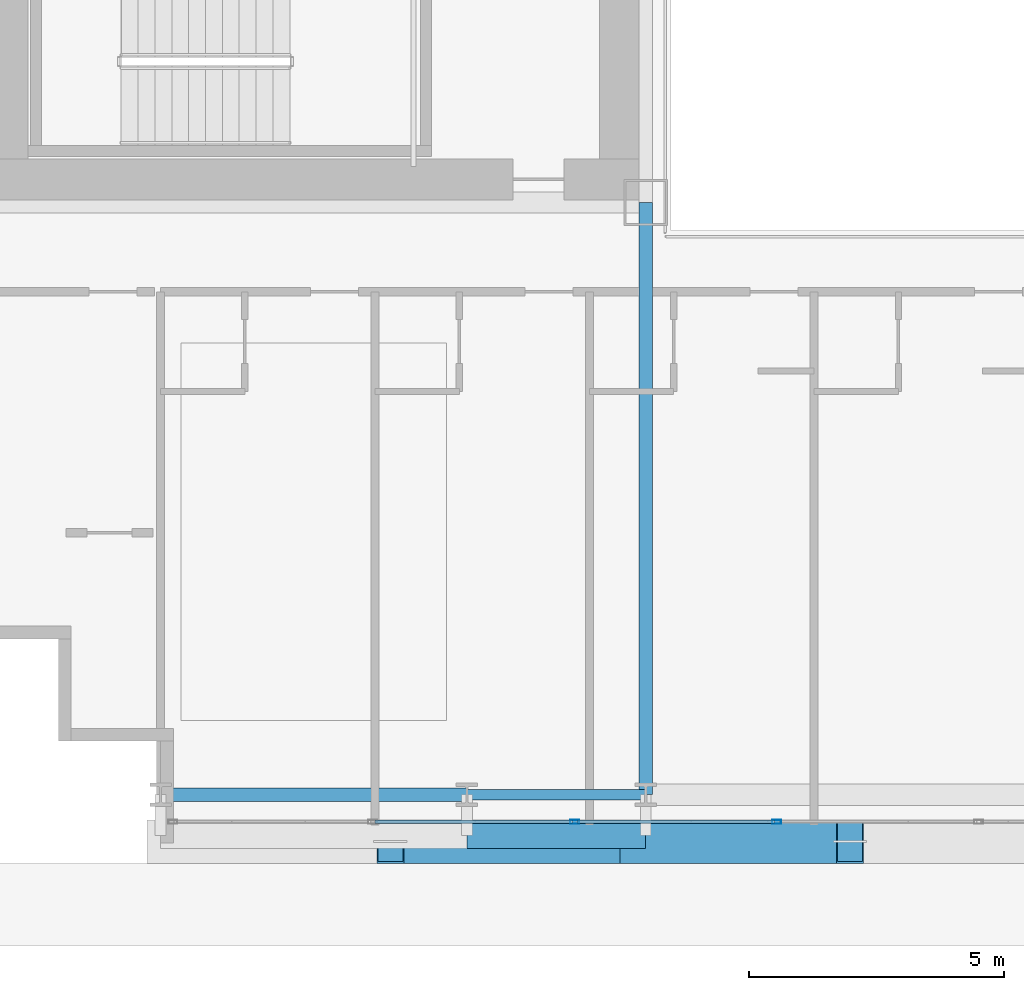
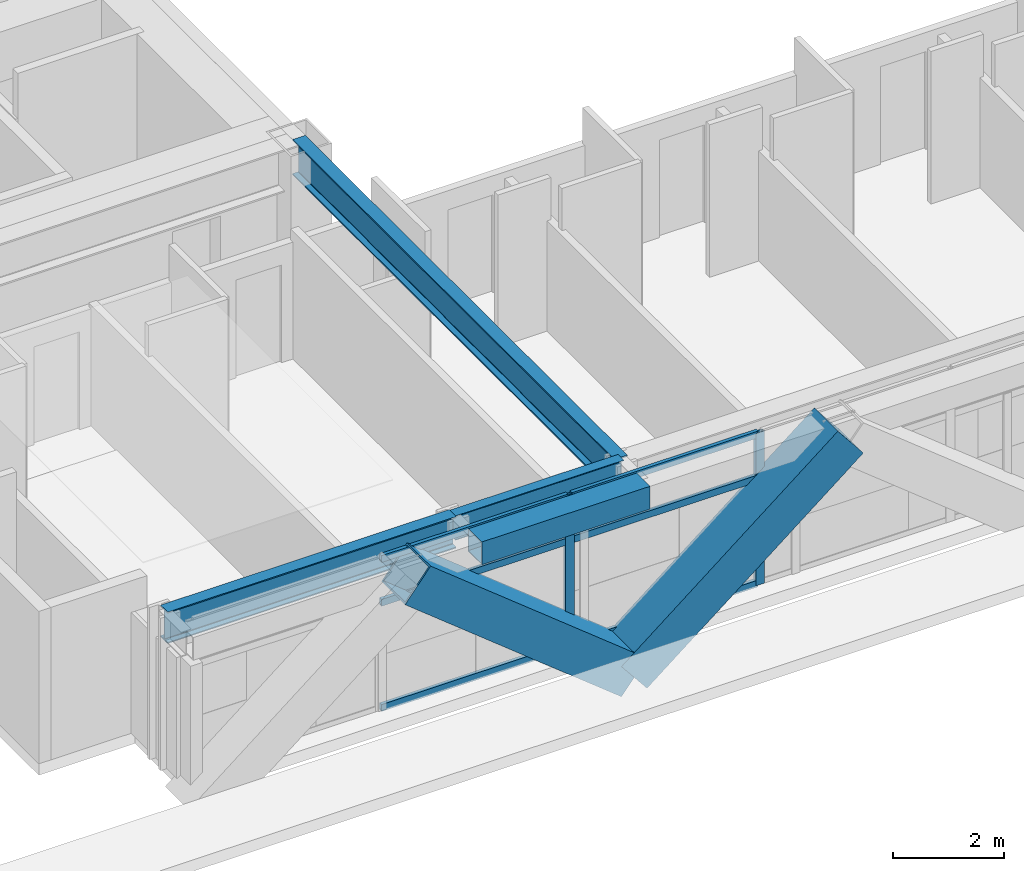
# One storey, part 3 of 35: 10 members, 4 beams, 1 element without a shape of its own.
"""IFC4 building model written with IfcOpenShell, lengths in metres."""

from ifc_helpers import new_model, si_unit, direction, frame, origin, origin_2d, place, context, subcontext, project, spatial, hollow_rectangle, i_section, extrude, source, transform, mapped, material, layer, layer_set, material_profile, profile_set, type_object, element, aggregate, save


model = new_model("IFC4")

# Units and contexts
model_context = context("Model", 3, precision=1e-05, world=origin(), true_north=direction((0.0, 1.0)))
body_context = subcontext(model_context, "Body", "Model", "MODEL_VIEW")
ifc_project = project(units=[si_unit("LENGTHUNIT", "METRE"), si_unit("AREAUNIT", "SQUARE_METRE"), si_unit("VOLUMEUNIT", "CUBIC_METRE"), si_unit("PLANEANGLEUNIT", "RADIAN"), si_unit("MASSUNIT", "GRAM", prefix="KILO")], contexts=[model_context])

# Site, building, storey
site_placement = place(None, origin())
site = spatial("IfcSite", under=ifc_project, at=site_placement, CompositionType="ELEMENT")
building_placement = place(site_placement, origin())
building = spatial("IfcBuilding", under=site, at=building_placement, Name="Ocotamira Hotel", CompositionType="ELEMENT")
storey_placement = place(building_placement, frame((0.0, 0.0, 34.800048828125)))
storey = spatial("IfcBuildingStorey", under=building, at=storey_placement, Name="L07", CompositionType="ELEMENT", Elevation=34.800048828125)

# Beams
ifc_material_1 = material(Name="Steel ASTM A992 Grade 50", Category="steel")
ifc_material_profile_1 = material_profile(ifc_material_1, i_section(OverallWidth=0.256103515625, OverallDepth=0.693115234375, WebThickness=0.014404296875, FlangeThickness=0.023681640625, FilletRadius=0.01611328125, at=origin_2d()), Name="W27X114")
ifc_profile_set_1 = profile_set([ifc_material_profile_1], Name="Steel ASTM A992 Grade 50")
beam_type_1 = type_object("IfcBeamType", Name="BM-PRIM-W27X114", PredefinedType="BEAM", material=ifc_profile_set_1)
shared_shape_1 = source(origin(), body_context, "Body", "SweptSolid", [
    extrude(i_section(OverallWidth=0.256103515625, OverallDepth=0.693115234375, WebThickness=0.014404296875, FlangeThickness=0.023681640625, FilletRadius=0.01611328125, at=origin_2d()), origin(), (0.0, 0.0, 1.0), 6.0),
])
beam_1_placement = place(storey_placement, frame((14.0, 2.949951171875, 3.00341796875), z_axis=(1.0, 0.0, 0.0), x_axis=(0.0, 1.0, 0.0)))
element("IfcBeam", 1, at=beam_1_placement, inside=storey, type_object=beam_type_1, Name="L07 Girder Y2.95 X14-20", PredefinedType="BEAM", context=body_context, shape_type="MappedRepresentation", body=[
    mapped(shared_shape_1, transform((0.0, 0.0, 0.0), scale=1.0)),
])
ifc_material_profile_2 = material_profile(ifc_material_1, i_section(OverallWidth=0.2099609375, OverallDepth=0.537109375, WebThickness=0.010986328125, FlangeThickness=0.017333984375, FilletRadius=0.012939453125, at=origin_2d()), Name="W21X68")
ifc_profile_set_2 = profile_set([ifc_material_profile_2], Name="Steel ASTM A992 Grade 50")
beam_type_2 = type_object("IfcBeamType", Name="BM-SEC-W21X68", PredefinedType="JOIST", material=ifc_profile_set_2)
shared_shape_2 = source(origin(), body_context, "Body", "SweptSolid", [
    extrude(i_section(OverallWidth=0.2099609375, OverallDepth=0.537109375, WebThickness=0.010986328125, FlangeThickness=0.017333984375, FilletRadius=0.012939453125, at=origin_2d()), origin(), (0.0, 0.0, 1.0), 3.5),
])
beam_2_placement = place(storey_placement, frame((20.0, 2.949951171875, 3.08154296875), z_axis=(1.0, 0.0, 0.0), x_axis=(0.0, 1.0, 0.0)))
element("IfcBeam", 2, at=beam_2_placement, inside=storey, type_object=beam_type_2, Name="L07 Girder Y2.95 X20-23.5", PredefinedType="JOIST", context=body_context, shape_type="MappedRepresentation", body=[
    mapped(shared_shape_2, transform((0.0, 0.0, 0.0), scale=1.0)),
])
ifc_material_profile_3 = material_profile(ifc_material_1, i_section(OverallWidth=0.26611328125, OverallDepth=0.779052734375, WebThickness=0.0166015625, FlangeThickness=0.030029296875, FilletRadius=0.01806640625, at=origin_2d()), Name="W30X148")
ifc_profile_set_3 = profile_set([ifc_material_profile_3], Name="Steel ASTM A992 Grade 50")
beam_type_3 = type_object("IfcBeamType", Name="BM-GIRD-W30X148", PredefinedType="BEAM", material=ifc_profile_set_3)
shared_shape_3 = source(origin(), body_context, "Body", "SweptSolid", [
    extrude(i_section(OverallWidth=0.26611328125, OverallDepth=0.779052734375, WebThickness=0.0166015625, FlangeThickness=0.030029296875, FilletRadius=0.01806640625, at=origin_2d()), origin(), (0.0, 0.0, 1.0), 11.60009765625),
])
beam_3_placement = place(storey_placement, frame((23.5, 2.949951171875, 2.96044921875), z_axis=(0.0, 1.0, 0.0), x_axis=(-1.0, 0.0, 0.0)))
element("IfcBeam", 3, at=beam_3_placement, inside=storey, type_object=beam_type_3, Name="L07 Beam X23.5 Y2.95-14.55", PredefinedType="BEAM", context=body_context, shape_type="MappedRepresentation", body=[
    mapped(shared_shape_3, transform((0.0, 0.0, 0.0), scale=1.0)),
])
ifc_material_2 = material(Name="Steel ASTM A500 Grade C", Category="steel")
ifc_material_profile_4 = material_profile(ifc_material_2, hollow_rectangle(XDim=0.5, YDim=0.5, WallThickness=0.02001953125, at=origin_2d()), Name="HSS500X500X20")
ifc_profile_set_4 = profile_set([ifc_material_profile_4], Name="Steel ASTM A500 Grade C")
beam_type_4 = type_object("IfcBeamType", Name="BM-SPAN-HSS500", PredefinedType="USERDEFINED", material=ifc_profile_set_4)
shared_shape_4 = source(origin(), body_context, "Body", "SweptSolid", [
    extrude(hollow_rectangle(XDim=0.5, YDim=0.5, WallThickness=0.02001953125, at=origin_2d()), origin(), (0.0, 0.0, 1.0), 3.5),
])
beam_4_placement = place(storey_placement, frame((20.0, 2.14990234375, 3.099853515625), z_axis=(1.0, 0.0, 0.0), x_axis=(0.0, 1.0, 0.0)))
element("IfcBeam", 4, at=beam_4_placement, inside=storey, type_object=beam_type_4, Name="L07 Edge Spandrel S X20-23.5", ObjectType="SPANDREL", PredefinedType="USERDEFINED", context=body_context, shape_type="MappedRepresentation", body=[
    mapped(shared_shape_4, transform((0.0, 0.0, 0.0), scale=1.0)),
])

# Members
ifc_material_3 = material(Name="Pale-metal coated steel ASTM A913 Grade 65", Category="steel")
ifc_material_profile_5 = material_profile(ifc_material_3, hollow_rectangle(XDim=0.85009765625, YDim=0.85009765625, WallThickness=0.035888671875, at=origin_2d()), Name="BOX850X850X36")
ifc_profile_set_5 = profile_set([ifc_material_profile_5], Name="Pale-metal coated steel ASTM A913 Grade 65")
member_type_1 = type_object("IfcMemberType", Name="MEM-EXO-BOX850", PredefinedType="BRACE", material=ifc_profile_set_5)
shared_shape_5 = source(origin(), body_context, "Body", "SweptSolid", [
    extrude(hollow_rectangle(XDim=0.85009765625, YDim=0.85009765625, WallThickness=0.035888671875, at=origin_2d()), origin(), (0.0, 0.0, 1.0), 5.7626953125),
])
for number, where, z_axis, x_axis, name in (
    (5, (23.0, 2.030029296875, -0.5), (-0.780881208953, 0.0, 0.624679547852), (0.0, -1.0, 0.0), "L07 Exoskeleton Diagrid S0.2"),
    (6, (23.0, 2.030029296875, -0.5), (0.780881208953, 0.0, 0.624679547852), (0.0, 1.0, 0.0), "L07 Exoskeleton Diagrid S1.1"),
):
    element("IfcMember", number, at=place(storey_placement, frame(where, z_axis=z_axis, x_axis=x_axis)), inside=storey, type_object=member_type_1, Name=name, PredefinedType="BRACE", context=body_context, shape_type="MappedRepresentation", body=[
        mapped(shared_shape_5, transform((0.0, 0.0, 0.0), scale=1.0)),
    ])

# Curtain wall, members
ifc_material_4 = material(Name="Anodised pale-metal aluminium and solar glass", Category="aluminium")
ifc_layer = layer(ifc_material_4, 0.179931640625)
ifc_layer_set = layer_set([ifc_layer], Name="Anodised pale-metal aluminium and solar glass")
curtain_wall_type = type_object("IfcCurtainWallType", Name="CW-SYS2-Z1", PredefinedType="NOTDEFINED", material=ifc_layer_set)
curtain_wall_placement = place(storey_placement, origin())
curtain_wall = element("IfcCurtainWall", 7, at=curtain_wall_placement, inside=storey, type_object=curtain_wall_type, Name="L07 Curtain Wall CW-2 CW-L07-S1", PredefinedType="NOTDEFINED")
ifc_material_5 = material(Name="Anodised pale-metal aluminium 6063-T6", Category="aluminium")
ifc_material_profile_6 = material_profile(ifc_material_5, hollow_rectangle(XDim=0.080078125, YDim=0.179931640625, WallThickness=0.006103515625, at=origin_2d()), Name="HSS180X80X6")
ifc_profile_set_6 = profile_set([ifc_material_profile_6], Name="Anodised pale-metal aluminium 6063-T6")
member_type_2 = type_object("IfcMemberType", Name="CWM-180X75", PredefinedType="MULLION", material=ifc_profile_set_6)
shared_shape_6 = source(origin(), body_context, "Body", "SweptSolid", [
    extrude(hollow_rectangle(XDim=0.080078125, YDim=0.179931640625, WallThickness=0.006103515625, at=origin_2d()), origin(), (0.0, 0.0, 1.0), 3.349853515625),
])
member_1_placement = place(storey_placement, frame((22.111083984375, 2.419921875, 0.0), z_axis=(0.0, 0.0, 1.0), x_axis=(0.0, 1.0, 0.0)))
member_1 = element("IfcMember", 8, at=member_1_placement, type_object=member_type_2, Name="CW-2 mullion 3", PredefinedType="MULLION", context=body_context, shape_type="MappedRepresentation", body=[
    mapped(shared_shape_6, transform((0.0, 0.0, 0.0), scale=1.0)),
])
member_2_placement = place(storey_placement, frame((26.066650390625, 2.419921875, 0.0), z_axis=(0.0, 0.0, 1.0), x_axis=(0.0, 1.0, 0.0)))
member_2 = element("IfcMember", 9, at=member_2_placement, type_object=member_type_2, Name="CW-2 mullion 4", PredefinedType="MULLION", context=body_context, shape_type="MappedRepresentation", body=[
    mapped(shared_shape_6, transform((0.0, 0.0, 0.0), scale=1.0)),
])
ifc_material_profile_7 = material_profile(ifc_material_5, hollow_rectangle(XDim=0.074951171875, YDim=0.14990234375, WallThickness=0.006103515625, at=origin_2d()), Name="HSS150X75X6")
ifc_profile_set_7 = profile_set([ifc_material_profile_7], Name="Anodised pale-metal aluminium 6063-T6")
member_type_3 = type_object("IfcMemberType", Name="CWT-150X75", PredefinedType="USERDEFINED", material=ifc_profile_set_7)
shared_shape_7 = source(origin(), body_context, "Body", "SweptSolid", [
    extrude(hollow_rectangle(XDim=0.074951171875, YDim=0.14990234375, WallThickness=0.006103515625, at=origin_2d()), origin(), (0.0, 0.0, 1.0), 3.87548828125),
])
member_3_placement = place(storey_placement, frame((18.195556640625, 2.419921875, 0.037353515625), z_axis=(1.0, 0.0, 0.0), x_axis=(0.0, 1.0, 0.0)))
member_3 = element("IfcMember", 10, at=member_3_placement, type_object=member_type_3, Name="CW-2 transom 2.1", ObjectType="TRANSOM", PredefinedType="USERDEFINED", context=body_context, shape_type="MappedRepresentation", body=[
    mapped(shared_shape_7, transform((0.0, 0.0, 0.0), scale=1.0)),
])
member_4_placement = place(storey_placement, frame((18.195556640625, 2.419921875, 2.349853515625), z_axis=(1.0, 0.0, 0.0), x_axis=(0.0, 1.0, 0.0)))
member_4 = element("IfcMember", 11, at=member_4_placement, type_object=member_type_3, Name="CW-2 transom 2.2", ObjectType="TRANSOM", PredefinedType="USERDEFINED", context=body_context, shape_type="MappedRepresentation", body=[
    mapped(shared_shape_7, transform((0.0, 0.0, 0.0), scale=1.0)),
])
member_5_placement = place(storey_placement, frame((18.195556640625, 2.419921875, 3.3125), z_axis=(1.0, 0.0, 0.0), x_axis=(0.0, 1.0, 0.0)))
member_5 = element("IfcMember", 12, at=member_5_placement, type_object=member_type_3, Name="CW-2 transom 2.3", ObjectType="TRANSOM", PredefinedType="USERDEFINED", context=body_context, shape_type="MappedRepresentation", body=[
    mapped(shared_shape_7, transform((0.0, 0.0, 0.0), scale=1.0)),
])
member_6_placement = place(storey_placement, frame((22.151123046875, 2.419921875, 0.037353515625), z_axis=(1.0, 0.0, 0.0), x_axis=(0.0, 1.0, 0.0)))
member_6 = element("IfcMember", 13, at=member_6_placement, type_object=member_type_3, Name="CW-2 transom 3.1", ObjectType="TRANSOM", PredefinedType="USERDEFINED", context=body_context, shape_type="MappedRepresentation", body=[
    mapped(shared_shape_7, transform((0.0, 0.0, 0.0), scale=1.0)),
])
member_7_placement = place(storey_placement, frame((22.151123046875, 2.419921875, 2.349853515625), z_axis=(1.0, 0.0, 0.0), x_axis=(0.0, 1.0, 0.0)))
member_7 = element("IfcMember", 14, at=member_7_placement, type_object=member_type_3, Name="CW-2 transom 3.2", ObjectType="TRANSOM", PredefinedType="USERDEFINED", context=body_context, shape_type="MappedRepresentation", body=[
    mapped(shared_shape_7, transform((0.0, 0.0, 0.0), scale=1.0)),
])
member_8_placement = place(storey_placement, frame((22.151123046875, 2.419921875, 3.3125), z_axis=(1.0, 0.0, 0.0), x_axis=(0.0, 1.0, 0.0)))
member_8 = element("IfcMember", 15, at=member_8_placement, type_object=member_type_3, Name="CW-2 transom 3.3", ObjectType="TRANSOM", PredefinedType="USERDEFINED", context=body_context, shape_type="MappedRepresentation", body=[
    mapped(shared_shape_7, transform((0.0, 0.0, 0.0), scale=1.0)),
])
aggregate(curtain_wall, [member_1, member_2, member_3, member_4, member_5, member_6, member_7, member_8])

save(model, "model.ifc")
